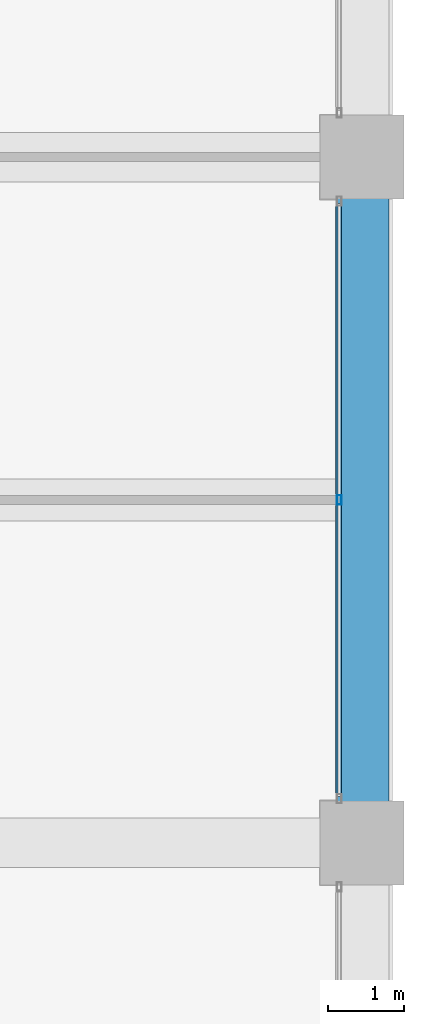
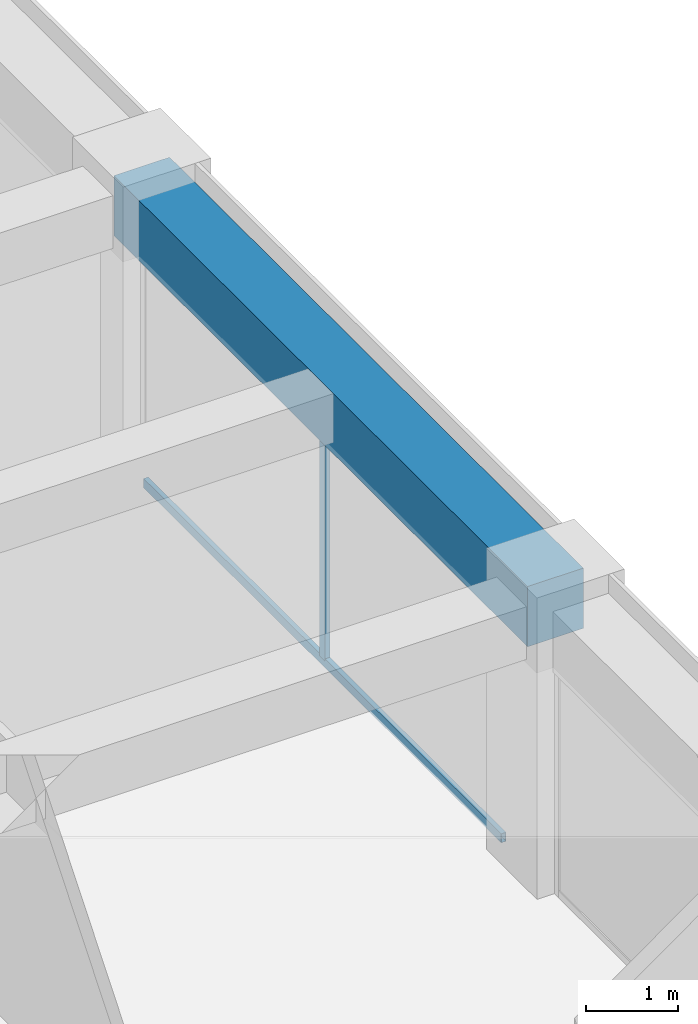
# One storey, part 25 of 44: 2 members, 1 beam, 1 element without a shape of its own.
"""IFC4 building model written with IfcOpenShell, lengths in metres."""

from ifc_helpers import new_model, si_unit, direction, frame, origin, origin_2d, place, context, subcontext, project, spatial, rectangle, hollow_rectangle, extrude, material, material_profile, profile_set, type_object, element, aggregate, save


model = new_model("IFC4")

# Units and contexts
model_context = context("Model", 3, precision=1e-05, world=origin(), true_north=direction((0.0, 1.0)))
body_context = subcontext(model_context, "Body", "Model", "MODEL_VIEW")
ifc_project = project(units=[si_unit("LENGTHUNIT", "METRE"), si_unit("AREAUNIT", "SQUARE_METRE"), si_unit("VOLUMEUNIT", "CUBIC_METRE"), si_unit("PLANEANGLEUNIT", "RADIAN"), si_unit("MASSUNIT", "GRAM", prefix="KILO")], contexts=[model_context])

# Site, building, storey
site_placement = place(None, origin())
site = spatial("IfcSite", under=ifc_project, at=site_placement, CompositionType="ELEMENT")
building_placement = place(site_placement, origin())
building = spatial("IfcBuilding", under=site, at=building_placement, Name="Zorevar Civic Tower", CompositionType="ELEMENT")
storey_placement = place(building_placement, frame((0.0, 0.0, 299.39990234375)))
storey = spatial("IfcBuildingStorey", under=building, at=storey_placement, Name="L73", CompositionType="ELEMENT", Elevation=299.39990234375)

# Curtain wall, members
ifc_material_1 = material(Name="Dark grey solar-control glass in black aluminium frame", Category="aluminium")
curtain_wall_type = type_object("IfcCurtainWallType", Name="Curtain wall CW5 top zone", PredefinedType="NOTDEFINED", material=ifc_material_1)
curtain_wall_placement = place(storey_placement, origin())
curtain_wall = element("IfcCurtainWall", 1, at=curtain_wall_placement, inside=storey, type_object=curtain_wall_type, Name="CW5 L73", PredefinedType="NOTDEFINED")
ifc_material_2 = material(Name="Aluminium, black anodised", Category="aluminium")
ifc_material_profile_1 = material_profile(ifc_material_2, hollow_rectangle(XDim=0.06005859375, YDim=0.1201171875, WallThickness=0.0029296875, at=origin_2d()), Name="AL 120x60x3")
ifc_profile_set_1 = profile_set([ifc_material_profile_1], Name="Aluminium, black anodised")
member_type_1 = type_object("IfcMemberType", Name="CW5 mullion AL 120x60x3", PredefinedType="MULLION", material=ifc_profile_set_1)
member_1_placement = place(storey_placement, frame((53.699951171875, 22.5, 0.06005859375), z_axis=(0.0, 0.0, 1.0), x_axis=(-1.0, 0.0, 0.0)))
member_1 = element("IfcMember", 2, at=member_1_placement, type_object=member_type_1, Name="CW5 mullion 2", PredefinedType="MULLION", context=body_context, shape_type="SweptSolid", body=[
    extrude(hollow_rectangle(XDim=0.06005859375, YDim=0.1201171875, WallThickness=0.0029296875, at=origin_2d()), origin(), (0.0, 0.0, 1.0), 2.89013671875),
])
ifc_material_3 = material(Name="Aluminium, black anodised", Category="aluminium")
ifc_material_profile_2 = material_profile(ifc_material_3, hollow_rectangle(XDim=0.06005859375, YDim=0.1201171875, WallThickness=0.0029296875, at=origin_2d()), Name="AL 120x60x3")
ifc_profile_set_2 = profile_set([ifc_material_profile_2], Name="Aluminium, black anodised")
member_type_2 = type_object("IfcMemberType", Name="CW5 transom AL 120x60x3", PredefinedType="USERDEFINED", material=ifc_profile_set_2)
member_2_placement = place(storey_placement, frame((53.699951171875, 18.610107421875, 0.030029296875), z_axis=(0.0, 1.0, 0.0), x_axis=(-1.0, 0.0, 0.0)))
member_2 = element("IfcMember", 3, at=member_2_placement, type_object=member_type_2, Name="CW5 sill transom", ObjectType="TRANSOM", PredefinedType="USERDEFINED", context=body_context, shape_type="SweptSolid", body=[
    extrude(hollow_rectangle(XDim=0.06005859375, YDim=0.1201171875, WallThickness=0.0029296875, at=origin_2d()), origin(), (0.0, 0.0, 1.0), 7.77978515625),
])
aggregate(curtain_wall, [member_1, member_2])

# Beam
ifc_material_4 = material(Name="Concrete C50/60", Category="concrete")
ifc_material_profile_3 = material_profile(ifc_material_4, rectangle(XDim=0.699951171875, YDim=0.800048828125, at=origin_2d()), Name="RC 700x800")
ifc_profile_set_3 = profile_set([ifc_material_profile_3], Name="Concrete C50/60")
beam_type = type_object("IfcBeamType", Name="Edge beam RC 700x800", PredefinedType="SPANDREL", material=ifc_profile_set_3)
beam_placement = place(storey_placement, frame((54.0, 18.0, 3.35009765625), z_axis=(0.0, 1.0, 0.0), x_axis=(-1.0, 0.0, 0.0)))
element("IfcBeam", 4, at=beam_placement, inside=storey, type_object=beam_type, Name="Edge beam L74", PredefinedType="SPANDREL", context=body_context, shape_type="SweptSolid", body=[
    extrude(rectangle(XDim=0.699951171875, YDim=0.800048828125, at=origin_2d()), origin(), (0.0, 0.0, 1.0), 9.0),
])

save(model, "model.ifc")
